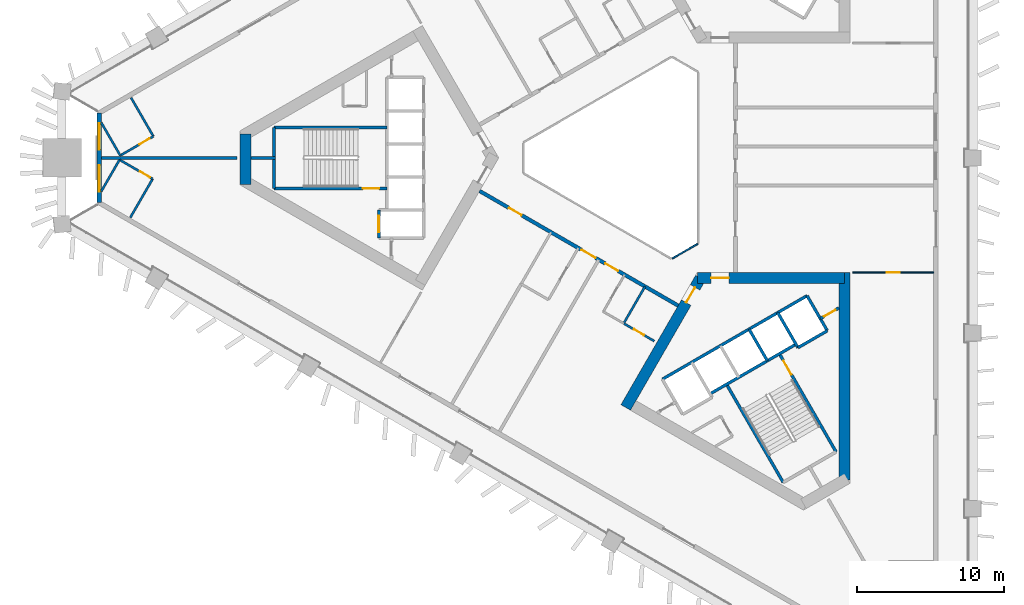
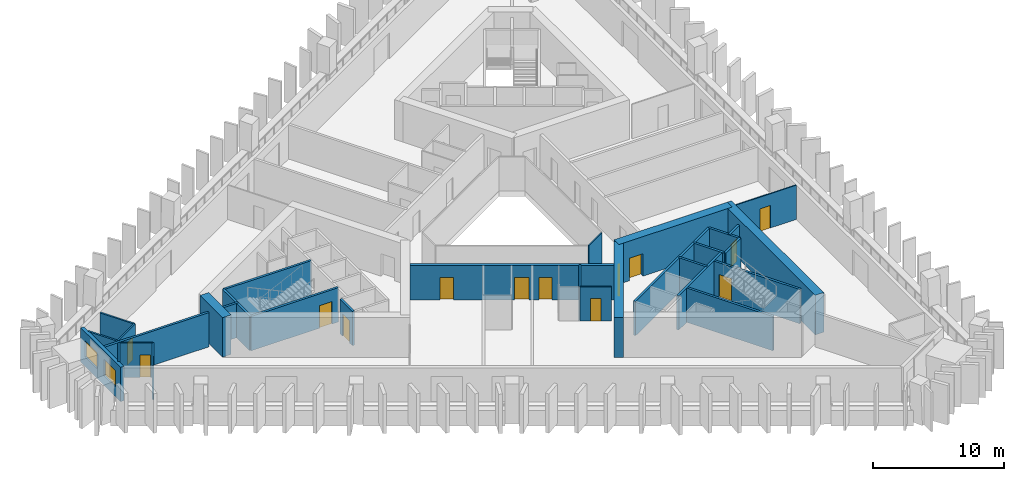
# One storey, part 3 of 10: 31 walls, 13 doors, 2 windows, 15 openings.
"""IFC4 building model written with IfcOpenShell, lengths in metres."""

from ifc_helpers import new_model, si_unit, direction, frame, frame_2d, origin, place, context, subcontext, project, spatial, rectangle, extrude, material, layer, layer_set, type_object, element, fill, save


model = new_model("IFC4")

# Units and contexts
model_context = context("Model", 3, precision=1e-05, world=origin(), true_north=direction((0.0, 1.0)))
body_context = subcontext(model_context, "Body", "Model", "MODEL_VIEW")
ifc_project = project(units=[si_unit("LENGTHUNIT", "METRE"), si_unit("AREAUNIT", "SQUARE_METRE"), si_unit("VOLUMEUNIT", "CUBIC_METRE"), si_unit("PLANEANGLEUNIT", "RADIAN"), si_unit("MASSUNIT", "GRAM", prefix="KILO")], contexts=[model_context])

# Site, building, storey
site_placement = place(None, origin())
site = spatial("IfcSite", under=ifc_project, at=site_placement, CompositionType="ELEMENT")
building_placement = place(site_placement, origin())
building = spatial("IfcBuilding", under=site, at=building_placement, Name="Jabali Bay Hotel Tower and Convention Centre", CompositionType="ELEMENT")
storey_placement = place(building_placement, frame((0.0, 0.0, 68.39990234375)))
storey = spatial("IfcBuildingStorey", under=building, at=storey_placement, Name="L15", CompositionType="ELEMENT", Elevation=68.39990234375)

# Walls
ifc_material_1 = material(Name="Fire-resistant glazing", Category="glass")
ifc_layer_1 = layer(ifc_material_1, 0.10009765625)
ifc_layer_set_1 = layer_set([ifc_layer_1], Name="Fire-resistant glazing")
wall_type_1 = type_object("IfcWallType", Name="Atrium glazed screen 100", PredefinedType="PARTITIONING", material=ifc_layer_set_1)
wall_1_placement = place(storey_placement, frame((77.7978515625, 73.15380859375, 0.0), z_axis=(0.0, 0.0, 1.0), x_axis=(0.866041268327, 0.499972520799, 0.0)))
element("IfcWall", 1, at=wall_1_placement, inside=storey, type_object=wall_type_1, Name="Atrium screen 6 L15", PredefinedType="PARTITIONING", context=body_context, shape_type="SweptSolid", body=[
    extrude(rectangle(XDim=2.0, YDim=0.10009765625, at=frame_2d((1.0, 0.0))), origin(), (0.0, 0.0, 1.0), 3.2001953125),
])
ifc_material_2 = material(Name="Concrete C40", Category="concrete")
ifc_layer_2 = layer(ifc_material_2, 0.199951171875)
ifc_layer_set_2 = layer_set([ifc_layer_2], Name="Concrete C40")
wall_type_2 = type_object("IfcWallType", Name="Core partition wall 200", PredefinedType="PARTITIONING", material=ifc_layer_set_2)
wall_2_placement = place(storey_placement, frame((50.820068359375, 80.0, 0.0), z_axis=(0.0, 0.0, 1.0), x_axis=(-1.0, 0.0, 0.0)))
element("IfcWall", 2, at=wall_2_placement, inside=storey, type_object=wall_type_2, Name="Core wall 0.5 L15", PredefinedType="PARTITIONING", context=body_context, shape_type="SweptSolid", body=[
    extrude(rectangle(XDim=1.673095703125, YDim=0.199951171875, at=frame_2d((0.83642578125, 0.0))), origin(), (0.0, 0.0, 1.0), 3.2001953125),
])

# Wall, opening, door
wall_3_placement = place(storey_placement, frame((87.86474609375, 69.067626953125, 0.0), z_axis=(0.0, 0.0, 1.0), x_axis=(0.865982457891, 0.500074377092, 0.0)))
wall_3 = element("IfcWall", 3, at=wall_3_placement, inside=storey, type_object=wall_type_2, Name="Core wall 2.12 L15", PredefinedType="PARTITIONING", context=body_context, shape_type="SweptSolid", body=[
    extrude(rectangle(XDim=1.461181640625, YDim=0.199951171875, at=frame_2d((0.73046875, 0.0))), origin(), (0.0, 0.0, 1.0), 3.2001953125),
])
opening_1_placement = place(wall_3_placement, frame((0.280517578125, 0.0, 0.0)))
opening_1 = element("IfcOpeningElement", 4, at=opening_1_placement, cuts=wall_3, Name="Opening D398", PredefinedType="OPENING", context=body_context, shape_type="SweptSolid", body=[
    extrude(rectangle(XDim=0.89990234375, YDim=2.10009765625, at=frame_2d((0.449951171875, 1.050048828125))), frame((0.0, 0.1103515625, 0.0), z_axis=(0.0, -1.0, 0.0), x_axis=(1.0, 0.0, 0.0)), (0.0, 0.0, 1.0), 0.220947265625),
])
ifc_material_3 = material(Name="Fire-rated steel door", Category="steel")
door_type_1 = type_object("IfcDoorType", Name="Vestibule fire door 900 x 2100", OperationType="NOTDEFINED", PredefinedType="NOTDEFINED", material=ifc_material_3)
door_1_placement = place(opening_1_placement, origin())
door_1 = element("IfcDoor", 5, at=door_1_placement, inside=storey, type_object=door_type_1, Name="Vestibule fire door D398", OperationType="SINGLE_SWING_LEFT", OverallHeight=2.10009765625, OverallWidth=0.89990234375, PredefinedType="NOTDEFINED", context=body_context, shape_type="SweptSolid", body=[
    extrude(rectangle(XDim=0.89990234375, YDim=2.10009765625, at=frame_2d((0.449951171875, 1.050048828125))), frame((0.0, 0.02490234375, 0.0), z_axis=(0.0, -1.0, 0.0), x_axis=(1.0, 0.0, 0.0)), (0.0, 0.0, 1.0), 0.050048828125),
])
fill(opening_1, door_1)

# Wall
ifc_layer_3 = layer(ifc_material_2, 0.199951171875)
ifc_layer_set_3 = layer_set([ifc_layer_3], Name="Concrete C40")
wall_type_3 = type_object("IfcWallType", Name="Core stair wall 200", PredefinedType="SOLIDWALL", material=ifc_layer_set_3)
wall_4_placement = place(storey_placement, frame((58.419921875, 82.074951171875, 0.0), z_axis=(0.0, 0.0, 1.0), x_axis=(-1.0, 0.0, 0.0)))
element("IfcWall", 6, at=wall_4_placement, inside=storey, type_object=wall_type_3, Name="Core wall 0.3 L15", PredefinedType="SOLIDWALL", context=body_context, shape_type="SweptSolid", body=[
    extrude(rectangle(XDim=7.699951171875, YDim=0.199951171875, at=frame_2d((3.85009765625, 0.0))), origin(), (0.0, 0.0, 1.0), 3.2001953125),
])

# Wall, opening, door
wall_5_placement = place(storey_placement, frame((58.419921875, 77.925048828125, 0.0), z_axis=(0.0, 0.0, 1.0), x_axis=(-1.0, 0.0, 0.0)))
wall_5 = element("IfcWall", 7, at=wall_5_placement, inside=storey, type_object=wall_type_3, Name="Core wall 0.7 L15", PredefinedType="SOLIDWALL", context=body_context, shape_type="SweptSolid", body=[
    extrude(rectangle(XDim=7.699951171875, YDim=0.199951171875, at=frame_2d((3.85009765625, 0.0))), origin(), (0.0, 0.0, 1.0), 3.2001953125),
])
opening_2_placement = place(wall_5_placement, frame((0.550048828125, 0.0, 0.0)))
opening_2 = element("IfcOpeningElement", 8, at=opening_2_placement, cuts=wall_5, Name="Opening D388", PredefinedType="OPENING", context=body_context, shape_type="SweptSolid", body=[
    extrude(rectangle(XDim=1.10009765625, YDim=2.10009765625, at=frame_2d((0.550048828125, 1.050048828125))), frame((0.0, 0.1103515625, 0.0), z_axis=(0.0, -1.0, 0.0), x_axis=(1.0, 0.0, 0.0)), (0.0, 0.0, 1.0), 0.220947265625),
])
door_type_2 = type_object("IfcDoorType", Name="Stair fire door 1100 x 2100", OperationType="NOTDEFINED", PredefinedType="NOTDEFINED", material=ifc_material_3)
door_2_placement = place(opening_2_placement, origin())
door_2 = element("IfcDoor", 9, at=door_2_placement, inside=storey, type_object=door_type_2, Name="Stair fire door D388", OperationType="SINGLE_SWING_RIGHT", OverallHeight=2.10009765625, OverallWidth=1.10009765625, PredefinedType="NOTDEFINED", context=body_context, shape_type="SweptSolid", body=[
    extrude(rectangle(XDim=1.10009765625, YDim=2.10009765625, at=frame_2d((0.550048828125, 1.050048828125))), frame((0.0, 0.02490234375, 0.0), z_axis=(0.0, -1.0, 0.0), x_axis=(1.0, 0.0, 0.0)), (0.0, 0.0, 1.0), 0.050048828125),
])
fill(opening_2, door_2)

wall_6_placement = place(storey_placement, frame((57.85009765625, 76.449951171875, 0.0), z_axis=(0.0, 0.0, 1.0), x_axis=(0.0, -1.0, 0.0)))
wall_6 = element("IfcWall", 10, at=wall_6_placement, inside=storey, type_object=wall_type_3, Name="Core wall 0.14 L15", PredefinedType="SOLIDWALL", context=body_context, shape_type="SweptSolid", body=[
    extrude(rectangle(XDim=1.89990234375, YDim=0.199951171875, at=frame_2d((0.949951171875, 0.0))), origin(), (0.0, 0.0, 1.0), 3.2001953125),
])
opening_3_placement = place(wall_6_placement, frame((0.39990234375, 0.0, 0.0)))
opening_3 = element("IfcOpeningElement", 11, at=opening_3_placement, cuts=wall_6, Name="Opening LD5-L15", PredefinedType="OPENING", context=body_context, shape_type="SweptSolid", body=[
    extrude(rectangle(XDim=1.10009765625, YDim=2.10009765625, at=frame_2d((0.550048828125, 1.050048828125))), frame((0.0, 0.1103515625, 0.0), z_axis=(0.0, -1.0, 0.0), x_axis=(1.0, 0.0, 0.0)), (0.0, 0.0, 1.0), 0.220947265625),
])
ifc_material_4 = material(Name="Stainless steel landing door", Category="steel")
door_type_3 = type_object("IfcDoorType", Name="Landing door 1100 x 2100", OperationType="NOTDEFINED", PredefinedType="NOTDEFINED", material=ifc_material_4)
door_3_placement = place(opening_3_placement, origin())
door_3 = element("IfcDoor", 12, at=door_3_placement, inside=storey, type_object=door_type_3, Name="Landing doors LD5-L15", OperationType="SLIDING_TO_RIGHT", OverallHeight=2.10009765625, OverallWidth=1.10009765625, PredefinedType="NOTDEFINED", context=body_context, shape_type="SweptSolid", body=[
    extrude(rectangle(XDim=1.10009765625, YDim=2.10009765625, at=frame_2d((0.550048828125, 1.050048828125))), frame((0.0, 0.02490234375, 0.0), z_axis=(0.0, -1.0, 0.0), x_axis=(1.0, 0.0, 0.0)), (0.0, 0.0, 1.0), 0.050048828125),
])
fill(opening_3, door_3)

# Walls
wall_7_placement = place(storey_placement, frame((50.719970703125, 82.074951171875, 0.0), z_axis=(0.0, 0.0, 1.0), x_axis=(0.0, -1.0, 0.0)))
element("IfcWall", 13, at=wall_7_placement, inside=storey, type_object=wall_type_3, Name="Core wall 0.17 L15", PredefinedType="SOLIDWALL", context=body_context, shape_type="SweptSolid", body=[
    extrude(rectangle(XDim=4.14990234375, YDim=0.199951171875, at=frame_2d((2.074951171875, 0.0))), origin(), (0.0, 0.0, 1.0), 3.2001953125),
])
wall_8_placement = place(storey_placement, frame((81.492919921875, 64.603759765625, 0.0), z_axis=(0.0, 0.0, 1.0), x_axis=(0.500006057782, -0.866021906294, 0.0)))
element("IfcWall", 14, at=wall_8_placement, inside=storey, type_object=wall_type_3, Name="Core wall 2.3 L15", PredefinedType="SOLIDWALL", context=body_context, shape_type="SweptSolid", body=[
    extrude(rectangle(XDim=7.7001953125, YDim=0.199951171875, at=frame_2d((3.85009765625, 0.0))), origin(), (0.0, 0.0, 1.0), 3.2001953125),
])
wall_9_placement = place(storey_placement, frame((83.024169921875, 68.3515625, 0.0), z_axis=(0.0, 0.0, 1.0), x_axis=(0.50000366821, -0.866023285932, 0.0)))
element("IfcWall", 15, at=wall_9_placement, inside=storey, type_object=wall_type_3, Name="Core wall 2.6 L15", PredefinedType="SOLIDWALL", context=body_context, shape_type="SweptSolid", body=[
    extrude(rectangle(XDim=2.47998046875, YDim=0.199951171875, at=frame_2d((1.239990234375, 0.0))), origin(), (0.0, 0.0, 1.0), 3.2001953125),
])

# Wall, opening, door
wall_10_placement = place(storey_placement, frame((85.0869140625, 66.6787109375, 0.0), z_axis=(0.0, 0.0, 1.0), x_axis=(0.500019787375, -0.866013979237, 0.0)))
wall_10 = element("IfcWall", 16, at=wall_10_placement, inside=storey, type_object=wall_type_3, Name="Core wall 2.7 L15", PredefinedType="SOLIDWALL", context=body_context, shape_type="SweptSolid", body=[
    extrude(rectangle(XDim=7.699951171875, YDim=0.199951171875, at=frame_2d((3.85009765625, 0.0))), origin(), (0.0, 0.0, 1.0), 3.2001953125),
])
opening_4_placement = place(wall_10_placement, frame((0.550048828125, 0.0, 0.0)))
opening_4 = element("IfcOpeningElement", 17, at=opening_4_placement, cuts=wall_10, Name="Opening D400", PredefinedType="OPENING", context=body_context, shape_type="SweptSolid", body=[
    extrude(rectangle(XDim=1.10009765625, YDim=2.10009765625, at=frame_2d((0.550048828125, 1.050048828125))), frame((0.0, 0.1103515625, 0.0), z_axis=(0.0, -1.0, 0.0), x_axis=(1.0, 0.0, 0.0)), (0.0, 0.0, 1.0), 0.220947265625),
])
door_4_placement = place(opening_4_placement, origin())
door_4 = element("IfcDoor", 18, at=door_4_placement, inside=storey, type_object=door_type_2, Name="Stair fire door D400", OperationType="SINGLE_SWING_RIGHT", OverallHeight=2.10009765625, OverallWidth=1.10009765625, PredefinedType="NOTDEFINED", context=body_context, shape_type="SweptSolid", body=[
    extrude(rectangle(XDim=1.10009765625, YDim=2.10009765625, at=frame_2d((0.550048828125, 1.050048828125))), frame((0.0, 0.02490234375, 0.0), z_axis=(0.0, -1.0, 0.0), x_axis=(1.0, 0.0, 0.0)), (0.0, 0.0, 1.0), 0.050048828125),
])
fill(opening_4, door_4)

# Walls
for number, where, z_axis, x_axis, name in (
    (19, (84.972900390625, 69.4765625, 0.0), (0.0, 0.0, 1.0), (0.499996545922, -0.866027397988, 0.0), "Core wall 2.8 L15"),
    (20, (86.964599609375, 70.62646484375, 0.0), (0.0, 0.0, 1.0), (0.499996545922, -0.866027397988, 0.0), "Core wall 2.9 L15"),
):
    element("IfcWall", number, at=place(storey_placement, frame(where, z_axis=z_axis, x_axis=x_axis)), inside=storey, type_object=wall_type_3, Name=name, PredefinedType="SOLIDWALL", context=body_context, shape_type="SweptSolid", body=[
        extrude(rectangle(XDim=2.75, YDim=0.199951171875, at=frame_2d((1.375, 0.0))), origin(), (0.0, 0.0, 1.0), 3.2001953125),
    ])
wall_11_placement = place(storey_placement, frame((77.13525390625, 64.95166015625, 0.0), z_axis=(0.0, 0.0, 1.0), x_axis=(0.866031916153, 0.499988720078, 0.0)))
element("IfcWall", 21, at=wall_11_placement, inside=storey, type_object=wall_type_3, Name="Core wall 2.10 L15", PredefinedType="SOLIDWALL", context=body_context, shape_type="SweptSolid", body=[
    extrude(rectangle(XDim=11.349853515625, YDim=0.199951171875, at=frame_2d((5.6748046875, 0.0))), origin(), (0.0, 0.0, 1.0), 3.2001953125),
])
wall_12_placement = place(storey_placement, frame((80.3671875, 63.953857421875, 0.0), z_axis=(0.0, 0.0, 1.0), x_axis=(0.866026575979, 0.499997969693, 0.0)))
element("IfcWall", 22, at=wall_12_placement, inside=storey, type_object=wall_type_3, Name="Core wall 2.13 L15", PredefinedType="SOLIDWALL", context=body_context, shape_type="SweptSolid", body=[
    extrude(rectangle(XDim=6.75, YDim=0.199951171875, at=frame_2d((3.375, 0.0))), origin(), (0.0, 0.0, 1.0), 3.2001953125),
])
wall_13_placement = place(storey_placement, frame((86.347900390625, 67.094970703125, 0.0), z_axis=(0.0, 0.0, 1.0), x_axis=(0.86602648383, 0.499998129301, 0.0)))
element("IfcWall", 23, at=wall_13_placement, inside=storey, type_object=wall_type_3, Name="Core wall 2.15 L15", PredefinedType="SOLIDWALL", context=body_context, shape_type="SweptSolid", body=[
    extrude(rectangle(XDim=2.2998046875, YDim=0.199951171875, at=frame_2d((1.14990234375, 0.0))), origin(), (0.0, 0.0, 1.0), 3.2001953125),
])
ifc_material_5 = material(Name="Concrete C60", Category="concrete")
ifc_layer_4 = layer(ifc_material_5, 0.75)
ifc_layer_set_4 = layer_set([ifc_layer_4], Name="Concrete C60")
wall_type_4 = type_object("IfcWallType", Name="Core wall 750", PredefinedType="SHEAR", material=ifc_layer_set_4)
wall_14_placement = place(storey_placement, frame((48.77197265625, 81.606201171875, 0.0), z_axis=(0.0, 0.0, 1.0), x_axis=(0.0, -1.0, 0.0)))
element("IfcWall", 24, at=wall_14_placement, inside=storey, type_object=wall_type_4, Name="Core wall 1.3 L15", PredefinedType="SHEAR", context=body_context, shape_type="SweptSolid", body=[
    extrude(rectangle(XDim=3.428955078125, YDim=0.75, at=frame_2d((1.71435546875, 0.0))), origin(), (0.0, 0.0, 1.0), 3.7001953125),
])

# Wall, opening, door
wall_15_placement = place(storey_placement, frame((79.716552734375, 71.830810546875, 0.0), z_axis=(0.0, 0.0, 1.0), x_axis=(-0.499996230114, -0.866027580318, 0.0)))
wall_15 = element("IfcWall", 25, at=wall_15_placement, inside=storey, type_object=wall_type_4, Name="Core wall 3.1 L15", PredefinedType="SHEAR", context=body_context, shape_type="SweptSolid", body=[
    extrude(rectangle(XDim=10.16357421875, YDim=0.75, at=frame_2d((5.081787109375, 0.0))), origin(), (0.0, 0.0, 1.0), 3.7001953125),
])
opening_5_placement = place(wall_15_placement, frame((0.7333984375, 0.0, 0.0)))
opening_5 = element("IfcOpeningElement", 26, at=opening_5_placement, cuts=wall_15, Name="Opening D396", PredefinedType="OPENING", context=body_context, shape_type="SweptSolid", body=[
    extrude(rectangle(XDim=1.199951171875, YDim=2.10009765625, at=frame_2d((0.60009765625, 1.050048828125))), frame((0.0, 0.385498046875, 0.0), z_axis=(0.0, -1.0, 0.0), x_axis=(1.0, 0.0, 0.0)), (0.0, 0.0, 1.0), 0.77099609375),
])
door_type_4 = type_object("IfcDoorType", Name="Corridor end fire door 1200 x 2100", OperationType="NOTDEFINED", PredefinedType="NOTDEFINED", material=ifc_material_3)
door_5_placement = place(opening_5_placement, origin())
door_5 = element("IfcDoor", 27, at=door_5_placement, inside=storey, type_object=door_type_4, Name="Corridor end fire door D396", OperationType="SINGLE_SWING_RIGHT", OverallHeight=2.10009765625, OverallWidth=1.199951171875, PredefinedType="NOTDEFINED", context=body_context, shape_type="SweptSolid", body=[
    extrude(rectangle(XDim=1.199951171875, YDim=2.10009765625, at=frame_2d((0.60009765625, 1.050048828125))), frame((0.0, 0.02490234375, 0.0), z_axis=(0.0, -1.0, 0.0), x_axis=(1.0, 0.0, 0.0)), (0.0, 0.0, 1.0), 0.050048828125),
])
fill(opening_5, door_5)

# Wall
wall_16_placement = place(storey_placement, frame((89.5048828125, 58.0888671875, 0.0), z_axis=(0.0, 0.0, 1.0), x_axis=(0.0, 1.0, 0.0)))
element("IfcWall", 28, at=wall_16_placement, inside=storey, type_object=wall_type_4, Name="Core wall 3.4 L15", PredefinedType="SHEAR", context=body_context, shape_type="SweptSolid", body=[
    extrude(rectangle(XDim=14.116943359375, YDim=0.75, at=frame_2d((7.05859375, 0.0))), origin(), (0.0, 0.0, 1.0), 3.7001953125),
])

# Wall, opening, door
wall_17_placement = place(storey_placement, frame((89.5048828125, 71.830810546875, 0.0), z_axis=(0.0, 0.0, 1.0), x_axis=(-1.0, 0.0, 0.0)))
wall_17 = element("IfcWall", 29, at=wall_17_placement, inside=storey, type_object=wall_type_4, Name="Core wall 3.5 L15", PredefinedType="SHEAR", context=body_context, shape_type="SweptSolid", body=[
    extrude(rectangle(XDim=10.0048828125, YDim=0.75, at=frame_2d((5.00244140625, 0.0))), origin(), (0.0, 0.0, 1.0), 3.7001953125),
])
opening_6_placement = place(wall_17_placement, frame((7.85498046875, 0.0, 0.0)))
opening_6 = element("IfcOpeningElement", 30, at=opening_6_placement, cuts=wall_17, Name="Opening D397", PredefinedType="OPENING", context=body_context, shape_type="SweptSolid", body=[
    extrude(rectangle(XDim=1.199951171875, YDim=2.10009765625, at=frame_2d((0.60009765625, 1.050048828125))), frame((0.0, 0.385498046875, 0.0), z_axis=(0.0, -1.0, 0.0), x_axis=(1.0, 0.0, 0.0)), (0.0, 0.0, 1.0), 0.77099609375),
])
door_6_placement = place(opening_6_placement, origin())
door_6 = element("IfcDoor", 31, at=door_6_placement, inside=storey, type_object=door_type_4, Name="Corridor end fire door D397", OperationType="SINGLE_SWING_LEFT", OverallHeight=2.10009765625, OverallWidth=1.199951171875, PredefinedType="NOTDEFINED", context=body_context, shape_type="SweptSolid", body=[
    extrude(rectangle(XDim=1.199951171875, YDim=2.10009765625, at=frame_2d((0.60009765625, 1.050048828125))), frame((0.0, 0.02490234375, 0.0), z_axis=(0.0, -1.0, 0.0), x_axis=(1.0, 0.0, 0.0)), (0.0, 0.0, 1.0), 0.050048828125),
])
fill(opening_6, door_6)

# Wall, openings, doors
ifc_layer_5 = layer(ifc_material_5, 0.25)
ifc_layer_set_5 = layer_set([ifc_layer_5], Name="Concrete C60")
wall_type_5 = type_object("IfcWallType", Name="Corridor wall 250", PredefinedType="SHEAR", material=ifc_layer_set_5)
wall_18_placement = place(storey_placement, frame((64.699951171875, 77.748291015625, 0.0), z_axis=(0.0, 0.0, 1.0), x_axis=(0.866026492143, -0.499998114903, 0.0)))
wall_18 = element("IfcWall", 32, at=wall_18_placement, inside=storey, type_object=wall_type_5, Name="Corridor wall 3 L15", PredefinedType="SHEAR", context=body_context, shape_type="SweptSolid", body=[
    extrude(rectangle(XDim=15.58837890625, YDim=0.25, at=frame_2d((7.794189453125, 0.0))), origin(), (0.0, 0.0, 1.0), 3.2001953125),
])
opening_7_placement = place(wall_18_placement, frame((2.305908203125, 0.0, 0.0)))
opening_7 = element("IfcOpeningElement", 33, at=opening_7_placement, cuts=wall_18, Name="Opening 1517", PredefinedType="OPENING", context=body_context, shape_type="SweptSolid", body=[
    extrude(rectangle(XDim=1.0, YDim=2.10009765625, at=frame_2d((0.5, 1.050048828125))), frame((0.0, 0.135498046875, 0.0), z_axis=(0.0, -1.0, 0.0), x_axis=(1.0, 0.0, 0.0)), (0.0, 0.0, 1.0), 0.27099609375),
])
opening_8_placement = place(wall_18_placement, frame((8.003173828125, 0.0, 0.0)))
opening_8 = element("IfcOpeningElement", 34, at=opening_8_placement, cuts=wall_18, Name="Opening 1521", PredefinedType="OPENING", context=body_context, shape_type="SweptSolid", body=[
    extrude(rectangle(XDim=1.10009765625, YDim=2.10009765625, at=frame_2d((0.550048828125, 1.050048828125))), frame((0.0, 0.135498046875, 0.0), z_axis=(0.0, -1.0, 0.0), x_axis=(1.0, 0.0, 0.0)), (0.0, 0.0, 1.0), 0.27099609375),
])
opening_9_placement = place(wall_18_placement, frame((9.870849609375, 0.0, 0.0)))
opening_9 = element("IfcOpeningElement", 35, at=opening_9_placement, cuts=wall_18, Name="Opening 1524", PredefinedType="OPENING", context=body_context, shape_type="SweptSolid", body=[
    extrude(rectangle(XDim=1.0, YDim=2.10009765625, at=frame_2d((0.5, 1.050048828125))), frame((0.0, 0.135498046875, 0.0), z_axis=(0.0, -1.0, 0.0), x_axis=(1.0, 0.0, 0.0)), (0.0, 0.0, 1.0), 0.27099609375),
])
ifc_material_6 = material(Name="Timber", Category="wood")
door_type_5 = type_object("IfcDoorType", Name="Accessible guest room door 1100 x 2100", OperationType="NOTDEFINED", PredefinedType="NOTDEFINED", material=ifc_material_6)
door_7_placement = place(opening_8_placement, origin())
door_7 = element("IfcDoor", 36, at=door_7_placement, inside=storey, type_object=door_type_5, Name="Door 1521", OperationType="SINGLE_SWING_RIGHT", OverallHeight=2.10009765625, OverallWidth=1.10009765625, PredefinedType="NOTDEFINED", context=body_context, shape_type="SweptSolid", body=[
    extrude(rectangle(XDim=1.10009765625, YDim=2.10009765625, at=frame_2d((0.550048828125, 1.050048828125))), frame((0.0, 0.02490234375, 0.0), z_axis=(0.0, -1.0, 0.0), x_axis=(1.0, 0.0, 0.0)), (0.0, 0.0, 1.0), 0.050048828125),
])
fill(opening_8, door_7)
door_type_6 = type_object("IfcDoorType", Name="Guest room door 1000 x 2100", OperationType="NOTDEFINED", PredefinedType="NOTDEFINED", material=ifc_material_6)
door_8_placement = place(opening_7_placement, origin())
door_8 = element("IfcDoor", 37, at=door_8_placement, inside=storey, type_object=door_type_6, Name="Door 1517", OperationType="SINGLE_SWING_LEFT", OverallHeight=2.10009765625, OverallWidth=1.0, PredefinedType="NOTDEFINED", context=body_context, shape_type="SweptSolid", body=[
    extrude(rectangle(XDim=1.0, YDim=2.10009765625, at=frame_2d((0.5, 1.050048828125))), frame((0.0, 0.02490234375, 0.0), z_axis=(0.0, -1.0, 0.0), x_axis=(1.0, 0.0, 0.0)), (0.0, 0.0, 1.0), 0.050048828125),
])
fill(opening_7, door_8)
door_9_placement = place(opening_9_placement, origin())
door_9 = element("IfcDoor", 38, at=door_9_placement, inside=storey, type_object=door_type_6, Name="Door 1524", OperationType="SINGLE_SWING_RIGHT", OverallHeight=2.10009765625, OverallWidth=1.0, PredefinedType="NOTDEFINED", context=body_context, shape_type="SweptSolid", body=[
    extrude(rectangle(XDim=1.0, YDim=2.10009765625, at=frame_2d((0.5, 1.050048828125))), frame((0.0, 0.02490234375, 0.0), z_axis=(0.0, -1.0, 0.0), x_axis=(1.0, 0.0, 0.0)), (0.0, 0.0, 1.0), 0.050048828125),
])
fill(opening_9, door_9)

# Wall, openings, windows
ifc_layer_6 = layer(ifc_material_2, 0.300048828125)
ifc_layer_set_6 = layer_set([ifc_layer_6], Name="Concrete C40")
wall_type_6 = type_object("IfcWallType", Name="External wall 300", PredefinedType="SOLIDWALL", material=ifc_layer_set_6)
wall_19_placement = place(storey_placement, frame((38.831787109375, 76.950927734375, 0.0), z_axis=(0.0, 0.0, 1.0), x_axis=(0.0, 1.0, 0.0)))
wall_19 = element("IfcWall", 39, at=wall_19_placement, inside=storey, type_object=wall_type_6, Name="External wall west chamfer L15", PredefinedType="SOLIDWALL", context=body_context, shape_type="SweptSolid", body=[
    extrude(rectangle(XDim=6.09814453125, YDim=0.300048828125, at=frame_2d((3.049072265625, 0.0))), origin(), (0.0, 0.0, 1.0), 3.2001953125),
])
opening_10_placement = place(wall_19_placement, frame((3.608154296875, 0.0, 0.89990234375)))
opening_10 = element("IfcOpeningElement", 40, at=opening_10_placement, cuts=wall_19, Name="Opening W1", PredefinedType="OPENING", context=body_context, shape_type="SweptSolid", body=[
    extrude(rectangle(XDim=1.800048828125, YDim=1.5, at=frame_2d((0.89990234375, 0.75))), frame((0.0, 0.16064453125, 0.0), z_axis=(0.0, -1.0, 0.0), x_axis=(1.0, 0.0, 0.0)), (0.0, 0.0, 1.0), 0.321044921875),
])
opening_11_placement = place(wall_19_placement, frame((0.74853515625, 0.0, 0.89990234375)))
opening_11 = element("IfcOpeningElement", 41, at=opening_11_placement, cuts=wall_19, Name="Opening W1", PredefinedType="OPENING", context=body_context, shape_type="SweptSolid", body=[
    extrude(rectangle(XDim=1.800048828125, YDim=1.5, at=frame_2d((0.89990234375, 0.75))), frame((0.0, 0.16064453125, 0.0), z_axis=(0.0, -1.0, 0.0), x_axis=(1.0, 0.0, 0.0)), (0.0, 0.0, 1.0), 0.321044921875),
])
ifc_material_7 = material(Name="Glass", Category="glass")
window_type = type_object("IfcWindowType", Name="Window 1800 x 1500", PartitioningType="SINGLE_PANEL", PredefinedType="WINDOW", material=ifc_material_7)
window_1_placement = place(opening_10_placement, origin())
window_1 = element("IfcWindow", 42, at=window_1_placement, inside=storey, type_object=window_type, Name="Window 1507", OverallHeight=1.5, OverallWidth=1.800048828125, PartitioningType="SINGLE_PANEL", PredefinedType="WINDOW", context=body_context, shape_type="SweptSolid", body=[
    extrude(rectangle(XDim=1.800048828125, YDim=1.5, at=frame_2d((0.89990234375, 0.75))), frame((0.0, 0.030029296875, 0.0), z_axis=(0.0, -1.0, 0.0), x_axis=(1.0, 0.0, 0.0)), (0.0, 0.0, 1.0), 0.06005859375),
])
fill(opening_10, window_1)
window_2_placement = place(opening_11_placement, origin())
window_2 = element("IfcWindow", 43, at=window_2_placement, inside=storey, type_object=window_type, Name="Window 1508", OverallHeight=1.5, OverallWidth=1.800048828125, PartitioningType="SINGLE_PANEL", PredefinedType="WINDOW", context=body_context, shape_type="SweptSolid", body=[
    extrude(rectangle(XDim=1.800048828125, YDim=1.5, at=frame_2d((0.89990234375, 0.75))), frame((0.0, 0.030029296875, 0.0), z_axis=(0.0, -1.0, 0.0), x_axis=(1.0, 0.0, 0.0)), (0.0, 0.0, 1.0), 0.06005859375),
])
fill(opening_11, window_2)

# Wall, opening, door
ifc_material_8 = material(Name="Plasterboard on steel stud", Category="steel")
ifc_layer_7 = layer(ifc_material_8, 0.10009765625)
ifc_layer_set_7 = layer_set([ifc_layer_7], Name="Plasterboard on steel stud")
wall_type_7 = type_object("IfcWallType", Name="Partition 100 unit", PredefinedType="PARTITIONING", material=ifc_layer_set_7)
wall_20_placement = place(storey_placement, frame((90.0791015625, 72.205810546875, 0.0), z_axis=(0.0, 0.0, 1.0), x_axis=(1.0, 0.0, 0.0)))
wall_20 = element("IfcWall", 44, at=wall_20_placement, inside=storey, type_object=wall_type_7, Name="Partition P02 L15 001", PredefinedType="PARTITIONING", context=body_context, shape_type="SweptSolid", body=[
    extrude(rectangle(XDim=5.49658203125, YDim=0.10009765625, at=frame_2d((2.748291015625, 0.0))), origin(), (0.0, 0.0, 1.0), 3.2001953125),
])
opening_12_placement = place(wall_20_placement, frame((2.298095703125, 0.0, 0.0)))
opening_12 = element("IfcOpeningElement", 45, at=opening_12_placement, cuts=wall_20, Name="Opening 1502", PredefinedType="OPENING", context=body_context, shape_type="SweptSolid", body=[
    extrude(rectangle(XDim=0.89990234375, YDim=2.10009765625, at=frame_2d((0.449951171875, 1.050048828125))), frame((0.0, 0.060546875, 0.0), z_axis=(0.0, -1.0, 0.0), x_axis=(1.0, 0.0, 0.0)), (0.0, 0.0, 1.0), 0.12109375),
])
door_type_7 = type_object("IfcDoorType", Name="Internal door 900 x 2100", OperationType="NOTDEFINED", PredefinedType="NOTDEFINED", material=ifc_material_6)
door_10_placement = place(opening_12_placement, origin())
door_10 = element("IfcDoor", 46, at=door_10_placement, inside=storey, type_object=door_type_7, Name="Door 1502", OperationType="SINGLE_SWING_LEFT", OverallHeight=2.10009765625, OverallWidth=0.89990234375, PredefinedType="NOTDEFINED", context=body_context, shape_type="SweptSolid", body=[
    extrude(rectangle(XDim=0.89990234375, YDim=2.10009765625, at=frame_2d((0.449951171875, 1.050048828125))), frame((0.0, 0.02490234375, 0.0), z_axis=(0.0, -1.0, 0.0), x_axis=(1.0, 0.0, 0.0)), (0.0, 0.0, 1.0), 0.050048828125),
])
fill(opening_12, door_10)

# Wall
ifc_layer_8 = layer(ifc_material_8, 0.14990234375)
ifc_layer_set_8 = layer_set([ifc_layer_8], Name="Plasterboard on steel stud")
wall_type_8 = type_object("IfcWallType", Name="Partition 150 wet", PredefinedType="PARTITIONING", material=ifc_layer_set_8)
wall_21_placement = place(storey_placement, frame((41.008544921875, 84.08642578125, 0.0), z_axis=(0.0, 0.0, 1.0), x_axis=(0.500017413604, -0.866015349802, 0.0)))
element("IfcWall", 47, at=wall_21_placement, inside=storey, type_object=wall_type_8, Name="Partition P03 L15 023", PredefinedType="PARTITIONING", context=body_context, shape_type="SweptSolid", body=[
    extrude(rectangle(XDim=3.033203125, YDim=0.14990234375, at=frame_2d((1.5166015625, 0.0))), origin(), (0.0, 0.0, 1.0), 3.2001953125),
])

# Wall, opening, door
wall_22_placement = place(storey_placement, frame((42.525146484375, 81.459716796875, 0.0), z_axis=(0.0, 0.0, 1.0), x_axis=(-0.866021400173, -0.500006934395, 0.0)))
wall_22 = element("IfcWall", 48, at=wall_22_placement, inside=storey, type_object=wall_type_8, Name="Partition P03 L15 024", PredefinedType="PARTITIONING", context=body_context, shape_type="SweptSolid", body=[
    extrude(rectangle(XDim=2.60009765625, YDim=0.14990234375, at=frame_2d((1.300048828125, 0.0))), origin(), (0.0, 0.0, 1.0), 3.2001953125),
])
opening_13_placement = place(wall_22_placement, frame((0.300048828125, 0.0, 0.0)))
opening_13 = element("IfcOpeningElement", 49, at=opening_13_placement, cuts=wall_22, Name="Opening 1516", PredefinedType="OPENING", context=body_context, shape_type="SweptSolid", body=[
    extrude(rectangle(XDim=0.800048828125, YDim=2.10009765625, at=frame_2d((0.39990234375, 1.050048828125))), frame((0.0, 0.08544921875, 0.0), z_axis=(0.0, -1.0, 0.0), x_axis=(1.0, 0.0, 0.0)), (0.0, 0.0, 1.0), 0.1708984375),
])
door_type_8 = type_object("IfcDoorType", Name="En-suite door 800 x 2100", OperationType="NOTDEFINED", PredefinedType="NOTDEFINED", material=ifc_material_6)
door_11_placement = place(opening_13_placement, origin())
door_11 = element("IfcDoor", 50, at=door_11_placement, inside=storey, type_object=door_type_8, Name="Door 1516", OperationType="SINGLE_SWING_LEFT", OverallHeight=2.10009765625, OverallWidth=0.800048828125, PredefinedType="NOTDEFINED", context=body_context, shape_type="SweptSolid", body=[
    extrude(rectangle(XDim=0.800048828125, YDim=2.10009765625, at=frame_2d((0.39990234375, 1.050048828125))), frame((0.0, 0.02490234375, 0.0), z_axis=(0.0, -1.0, 0.0), x_axis=(1.0, 0.0, 0.0)), (0.0, 0.0, 1.0), 0.050048828125),
])
fill(opening_13, door_11)

# Walls
wall_23_placement = place(storey_placement, frame((40.2734375, 80.15966796875, 0.0), z_axis=(0.0, 0.0, 1.0), x_axis=(-0.499978610854, 0.866037752461, 0.0)))
element("IfcWall", 51, at=wall_23_placement, inside=storey, type_object=wall_type_8, Name="Partition P03 L15 025", PredefinedType="PARTITIONING", context=body_context, shape_type="SweptSolid", body=[
    extrude(rectangle(XDim=2.5849609375, YDim=0.14990234375, at=frame_2d((1.29248046875, 0.0))), origin(), (0.0, 0.0, 1.0), 3.2001953125),
])
wall_24_placement = place(storey_placement, frame((38.98095703125, 77.7177734375, 0.0), z_axis=(0.0, 0.0, 1.0), x_axis=(0.499986149909, 0.86603339999, 0.0)))
element("IfcWall", 52, at=wall_24_placement, inside=storey, type_object=wall_type_8, Name="Partition P03 L15 030", PredefinedType="PARTITIONING", context=body_context, shape_type="SweptSolid", body=[
    extrude(rectangle(XDim=2.484375, YDim=0.14990234375, at=frame_2d((1.2421875, 0.0))), origin(), (0.0, 0.0, 1.0), 3.2001953125),
])

# Wall, opening, door
wall_25_placement = place(storey_placement, frame((40.22314453125, 79.869384765625, 0.0), z_axis=(0.0, 0.0, 1.0), x_axis=(0.866021400173, -0.500006934395, 0.0)))
wall_25 = element("IfcWall", 53, at=wall_25_placement, inside=storey, type_object=wall_type_8, Name="Partition P03 L15 031", PredefinedType="PARTITIONING", context=body_context, shape_type="SweptSolid", body=[
    extrude(rectangle(XDim=2.60009765625, YDim=0.14990234375, at=frame_2d((1.300048828125, 0.0))), origin(), (0.0, 0.0, 1.0), 3.2001953125),
])
opening_14_placement = place(wall_25_placement, frame((1.60009765625, 0.0, 0.0)))
opening_14 = element("IfcOpeningElement", 54, at=opening_14_placement, cuts=wall_25, Name="Opening 1519", PredefinedType="OPENING", context=body_context, shape_type="SweptSolid", body=[
    extrude(rectangle(XDim=0.800048828125, YDim=2.10009765625, at=frame_2d((0.39990234375, 1.050048828125))), frame((0.0, 0.08544921875, 0.0), z_axis=(0.0, -1.0, 0.0), x_axis=(1.0, 0.0, 0.0)), (0.0, 0.0, 1.0), 0.1708984375),
])
door_12_placement = place(opening_14_placement, origin())
door_12 = element("IfcDoor", 55, at=door_12_placement, inside=storey, type_object=door_type_8, Name="Door 1519", OperationType="SINGLE_SWING_RIGHT", OverallHeight=2.10009765625, OverallWidth=0.800048828125, PredefinedType="NOTDEFINED", context=body_context, shape_type="SweptSolid", body=[
    extrude(rectangle(XDim=0.800048828125, YDim=2.10009765625, at=frame_2d((0.39990234375, 1.050048828125))), frame((0.0, 0.02490234375, 0.0), z_axis=(0.0, -1.0, 0.0), x_axis=(1.0, 0.0, 0.0)), (0.0, 0.0, 1.0), 0.050048828125),
])
fill(opening_14, door_12)

# Wall
wall_26_placement = place(storey_placement, frame((42.474853515625, 78.5693359375, 0.0), z_axis=(0.0, 0.0, 1.0), x_axis=(-0.500077777692, -0.865980494156, 0.0)))
element("IfcWall", 56, at=wall_26_placement, inside=storey, type_object=wall_type_8, Name="Partition P03 L15 032", PredefinedType="PARTITIONING", context=body_context, shape_type="SweptSolid", body=[
    extrude(rectangle(XDim=3.033203125, YDim=0.14990234375, at=frame_2d((1.5166015625, 0.0))), origin(), (0.0, 0.0, 1.0), 3.2001953125),
])

# Wall, opening, door
wall_27_placement = place(storey_placement, frame((76.57763671875, 67.542236328125, 0.0), z_axis=(0.0, 0.0, 1.0), x_axis=(-0.866038271014, 0.499977712642, 0.0)))
wall_27 = element("IfcWall", 57, at=wall_27_placement, inside=storey, type_object=wall_type_8, Name="Partition P03 L15 036", PredefinedType="PARTITIONING", context=body_context, shape_type="SweptSolid", body=[
    extrude(rectangle(XDim=2.40087890625, YDim=0.14990234375, at=frame_2d((1.200439453125, 0.0))), origin(), (0.0, 0.0, 1.0), 3.2001953125),
])
opening_15_placement = place(wall_27_placement, frame((0.801025390625, 0.0, 0.0)))
opening_15 = element("IfcOpeningElement", 58, at=opening_15_placement, cuts=wall_27, Name="Opening 1522", PredefinedType="OPENING", context=body_context, shape_type="SweptSolid", body=[
    extrude(rectangle(XDim=0.800048828125, YDim=2.10009765625, at=frame_2d((0.39990234375, 1.050048828125))), frame((0.0, 0.08544921875, 0.0), z_axis=(0.0, -1.0, 0.0), x_axis=(1.0, 0.0, 0.0)), (0.0, 0.0, 1.0), 0.1708984375),
])
door_13_placement = place(opening_15_placement, origin())
door_13 = element("IfcDoor", 59, at=door_13_placement, inside=storey, type_object=door_type_8, Name="Door 1522", OperationType="SINGLE_SWING_LEFT", OverallHeight=2.10009765625, OverallWidth=0.800048828125, PredefinedType="NOTDEFINED", context=body_context, shape_type="SweptSolid", body=[
    extrude(rectangle(XDim=0.800048828125, YDim=2.10009765625, at=frame_2d((0.39990234375, 1.050048828125))), frame((0.0, 0.02490234375, 0.0), z_axis=(0.0, -1.0, 0.0), x_axis=(1.0, 0.0, 0.0)), (0.0, 0.0, 1.0), 0.050048828125),
])
fill(opening_15, door_13)

# Walls
wall_28_placement = place(storey_placement, frame((75.9482421875, 71.254150390625, 0.0), z_axis=(0.0, 0.0, 1.0), x_axis=(-0.499987231761, -0.866032775405, 0.0)))
element("IfcWall", 60, at=wall_28_placement, inside=storey, type_object=wall_type_8, Name="Partition P03 L15 039", PredefinedType="PARTITIONING", context=body_context, shape_type="SweptSolid", body=[
    extrude(rectangle(XDim=2.89990234375, YDim=0.14990234375, at=frame_2d((1.449951171875, 0.0))), origin(), (0.0, 0.0, 1.0), 3.2001953125),
])
ifc_layer_9 = layer(ifc_material_8, 0.199951171875)
ifc_layer_set_9 = layer_set([ifc_layer_9], Name="Plasterboard on steel stud")
wall_type_9 = type_object("IfcWallType", Name="Partition 200 party", PredefinedType="PARTITIONING", material=ifc_layer_set_9)
wall_29_placement = place(storey_placement, frame((38.98095703125, 80.0, 0.0), z_axis=(0.0, 0.0, 1.0), x_axis=(1.0, 0.0, 0.0)))
element("IfcWall", 61, at=wall_29_placement, inside=storey, type_object=wall_type_9, Name="Partition P01 L15 026", PredefinedType="PARTITIONING", context=body_context, shape_type="SweptSolid", body=[
    extrude(rectangle(XDim=9.217041015625, YDim=0.199951171875, at=frame_2d((4.6083984375, 0.0))), origin(), (0.0, 0.0, 1.0), 3.2001953125),
])

save(model, "model.ifc")
